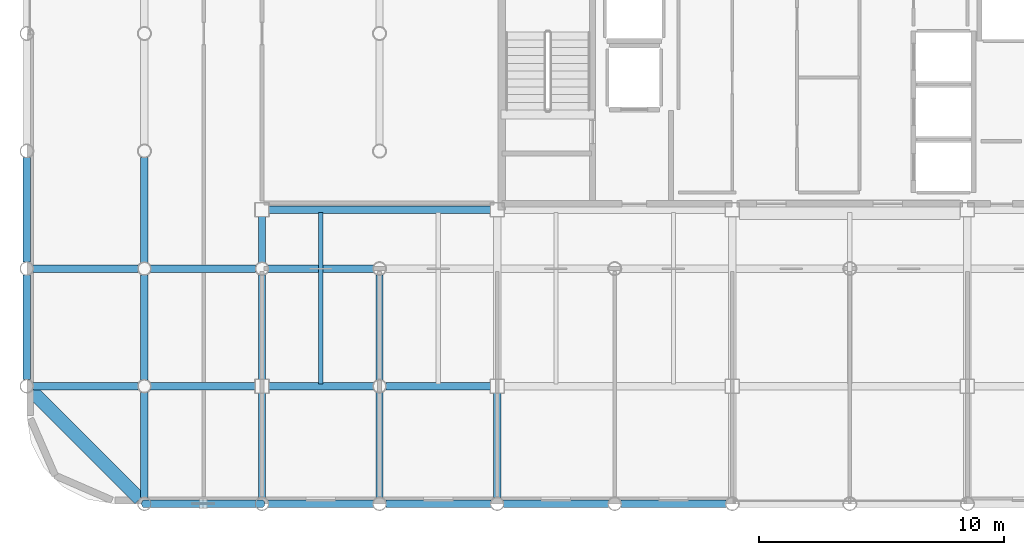
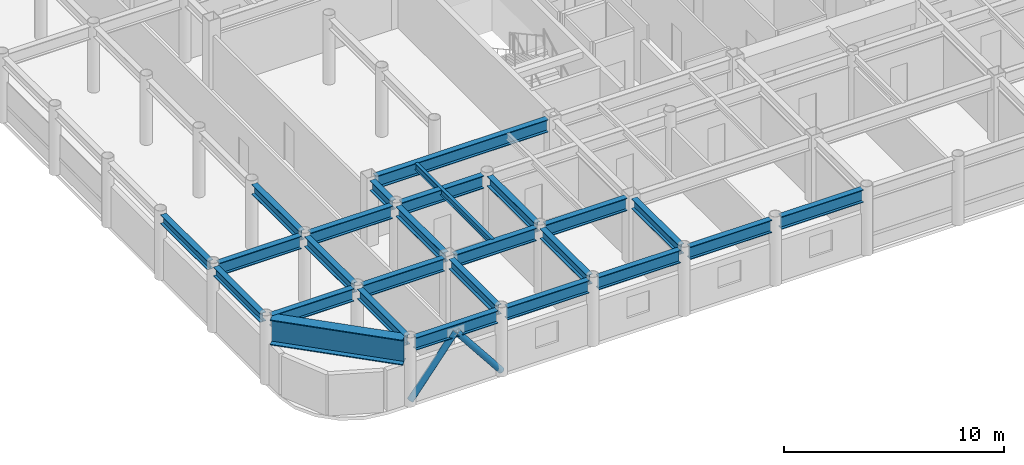
# One storey, part 3 of 22: 26 beams, 2 members.
"""IFC4 building model written with IfcOpenShell, lengths in metres."""

import ifcopenshell
import ifcopenshell.guid

model = None  # the IFC model being written
_history = None  # IfcOwnerHistory: only IFC2X3 demands one
_inside = {}  # id of a spatial element -> (the spatial element, [elements in it])
_under = {}  # id of a project, library or spatial element -> (it, [spatial elements below it])
_declared = {}  # id of a project -> (the project, [libraries it declares])
_typed = {}  # id of a type object -> (the type object, [elements of that type])
_made_of = {}  # id of a material, layer set ... -> (it, [elements and type objects made of it])


def new_model(schema):
    """Start an empty IFC model of exactly this schema.

    Asked for "IFC4X3", IfcOpenShell would pick the latest addendum, in which some entities
    have other attributes; the version numbers below select the first issue.
    IFC2X3 requires an IfcOwnerHistory on every rooted entity: one is made here for all.
    """
    global model, _history
    if schema == "IFC4X3":
        model = ifcopenshell.file(schema_version=(4, 3, 0, 0))
    else:
        model = ifcopenshell.file(schema=schema)
    _inside.clear()
    _under.clear()
    _declared.clear()
    _typed.clear()
    _made_of.clear()
    _history = None
    if model.schema == "IFC2X3":
        org = make("IfcOrganization", Name="unknown")
        user = make(
            "IfcPersonAndOrganization",
            ThePerson=make("IfcPerson", FamilyName="unknown"),
            TheOrganization=org,
        )
        app = make(
            "IfcApplication",
            ApplicationDeveloper=org,
            Version="unknown",
            ApplicationFullName="unknown",
            ApplicationIdentifier="unknown",
        )
        _history = make(
            "IfcOwnerHistory",
            OwningUser=user,
            OwningApplication=app,
            ChangeAction="ADDED",
            CreationDate=0,
        )
    return model


def make(cls, **values):
    """One entity of the class cls with the attributes given. An attribute that is None is left unset."""
    return model.create_entity(
        cls, **{name: value for name, value in values.items() if value is not None}
    )


def rooted(cls, **values):
    """An entity with a GlobalId (a new one), such as an element, a storey or a relation."""
    return make(cls, GlobalId=ifcopenshell.guid.new(), OwnerHistory=_history, **values)


def si_unit(unit_type, name, prefix=None):
    """IfcSIUnit, for example si_unit("LENGTHUNIT", "METRE", prefix="MILLI")."""
    return make("IfcSIUnit", UnitType=unit_type, Prefix=prefix, Name=name)


def assignment(units):
    """IfcUnitAssignment: the units of a project."""
    return None if units is None else make("IfcUnitAssignment", Units=units)


def point(xyz):
    """IfcCartesianPoint."""
    return None if xyz is None else make("IfcCartesianPoint", Coordinates=xyz)


def direction(xyz):
    """IfcDirection."""
    return None if xyz is None else make("IfcDirection", DirectionRatios=xyz)


def frame(location, z_axis=None, x_axis=None):
    """IfcAxis2Placement3D, a coordinate frame: its origin and axes. An axis left out is left unset."""
    return make(
        "IfcAxis2Placement3D",
        Location=point(location),
        Axis=direction(z_axis),
        RefDirection=direction(x_axis),
    )


def frame_2d(location, x_axis=None):
    """IfcAxis2Placement2D, a coordinate frame in the plane: its origin and x axis."""
    return make(
        "IfcAxis2Placement2D", Location=point(location), RefDirection=direction(x_axis)
    )


def origin():
    """The frame at (0, 0, 0) with its axes left unset."""
    return frame((0.0, 0.0, 0.0))


def origin_2d():
    """The frame at (0, 0) in the plane with its x axis left unset."""
    return frame_2d((0.0, 0.0))


def place(relative_to, where):
    """IfcLocalPlacement: puts the frame where relative to a parent placement (None: the world)."""
    return make(
        "IfcLocalPlacement", PlacementRelTo=relative_to, RelativePlacement=where
    )


def context(
    kind, dimensions, precision=None, world=None, true_north=None, identifier=None
):
    """IfcGeometricRepresentationContext, for example the 3D "Model" context."""
    return make(
        "IfcGeometricRepresentationContext",
        ContextIdentifier=identifier,
        ContextType=kind,
        CoordinateSpaceDimension=dimensions,
        Precision=precision,
        WorldCoordinateSystem=world,
        TrueNorth=true_north,
    )


def subcontext(parent, identifier, kind, view, scale=None):
    """IfcGeometricRepresentationSubContext, for example "Body" below "Model"."""
    return make(
        "IfcGeometricRepresentationSubContext",
        ContextIdentifier=identifier,
        ContextType=kind,
        ParentContext=parent,
        TargetScale=scale,
        TargetView=view,
    )


def project(units=None, contexts=None):
    """IfcProject with its units and contexts."""
    return rooted(
        "IfcProject",
        Name="project",
        RepresentationContexts=contexts,
        UnitsInContext=assignment(units),
    )


def spatial(cls, under=None, at=None, **own):
    """A site, building, storey or space (cls), placed at a placement, below another one or the project."""
    s = rooted(cls, ObjectPlacement=at, **own)
    if under is not None:
        _under.setdefault(under.id(), (under, []))[1].append(s)
    return s


def profile(cls, at=None, kind="AREA", **sizes):
    """A parametric profile (cls). Its sizes go by their IFC names, for example OverallWidth=200.0."""
    return make(cls, ProfileType=kind, Position=at, **sizes)


def hollow_circle(**sizes):
    """IfcCircleHollowProfileDef."""
    return profile("IfcCircleHollowProfileDef", **sizes)


def i_section(**sizes):
    """IfcIShapeProfileDef."""
    return profile("IfcIShapeProfileDef", **sizes)


def extrude(swept, where, along, depth):
    """IfcExtrudedAreaSolid: the profile swept, set in the frame where, extruded along a direction by depth."""
    return make(
        "IfcExtrudedAreaSolid",
        SweptArea=swept,
        Position=where,
        ExtrudedDirection=direction(along),
        Depth=depth,
    )


def shape(context_of_items, identifier, shape_type, items):
    """IfcShapeRepresentation: the items that make up one representation, for example the "Body"."""
    return make(
        "IfcShapeRepresentation",
        ContextOfItems=context_of_items,
        RepresentationIdentifier=identifier,
        RepresentationType=shape_type,
        Items=items,
    )


def material(Name=None, Category=None):
    """IfcMaterial."""
    return make("IfcMaterial", Name=Name, Category=Category)


def material_profile(
    of_material, cross_section, Name=None, Category=None, Priority=None
):
    """IfcMaterialProfile: a cross section and its material."""
    return make(
        "IfcMaterialProfile",
        Name=Name,
        Material=of_material,
        Profile=cross_section,
        Priority=Priority,
        Category=Category,
    )


def profile_set(profiles, Name=None, composite=None):
    """IfcMaterialProfileSet."""
    return make(
        "IfcMaterialProfileSet",
        Name=Name,
        MaterialProfiles=profiles,
        CompositeProfile=composite,
    )


def made_of(thing, what):
    """Note that an element or type object is made of a material, layer set ...; save() writes the relation."""
    if what is not None:
        _made_of.setdefault(what.id(), (what, []))[1].append(thing)
    return thing


def type_object(cls, material=None, **own):
    """A type object (cls), such as IfcWallType, which elements share."""
    return made_of(rooted(cls, **own), material)


def element(
    cls,
    number,
    at=None,
    inside=None,
    cuts=None,
    type_object=None,
    material=None,
    context=None,
    identifier="Body",
    shape_type=None,
    held_by="IfcProductDefinitionShape",
    body=None,
    shapes=None,
    **own,
):
    """One element of the class cls, such as IfcWall. Its Tag is "e" and its number.

    at: its placement. inside: the storey or other place that contains it. cuts: it is an
    opening in that element (IfcRelVoidsElement). A single representation is given by context,
    identifier, shape_type and body (its items); several are given by shapes. held_by: the class
    of the entity that holds the representations. save() writes the other relations.
    """
    e = rooted(cls, Tag="e%d" % number, ObjectPlacement=at, **own)
    if body is not None:
        shapes = [shape(context, identifier, shape_type, body)]
    if shapes is not None:
        e.Representation = make(held_by, Representations=shapes)
    if inside is not None:
        _inside.setdefault(inside.id(), (inside, []))[1].append(e)
    if cuts is not None:
        rooted(
            "IfcRelVoidsElement", RelatingBuildingElement=cuts, RelatedOpeningElement=e
        )
    if type_object is not None:
        _typed.setdefault(type_object.id(), (type_object, []))[1].append(e)
    return made_of(e, material)


def aggregate(whole, parts):
    """IfcRelAggregates: a whole, such as a stair, and the parts it consists of."""
    return rooted("IfcRelAggregates", RelatingObject=whole, RelatedObjects=parts)


def save(model, path):
    """Write the relations noted so far, then the file.

    IfcRelAggregates (storeys below a building ...), IfcRelContainedInSpatialStructure (elements
    in a storey), IfcRelDefinesByType, IfcRelAssociatesMaterial and IfcRelDeclares: one each for
    every whole, place, type object, material and project.
    """
    for whole, parts in _under.values():
        aggregate(whole, parts)
    for where, things in _inside.values():
        rooted(
            "IfcRelContainedInSpatialStructure",
            RelatedElements=things,
            RelatingStructure=where,
        )
    for kind, things in _typed.values():
        rooted("IfcRelDefinesByType", RelatedObjects=things, RelatingType=kind)
    for what, things in _made_of.values():
        rooted("IfcRelAssociatesMaterial", RelatedObjects=things, RelatingMaterial=what)
    for by, libraries in _declared.values():
        rooted("IfcRelDeclares", RelatingContext=by, RelatedDefinitions=libraries)
    model.write(path)


model = new_model("IFC4")

# Units and contexts
model_context = context("Model", 3, precision=1e-05, world=origin(), true_north=direction((0.0, 1.0)))
body_context = subcontext(model_context, "Body", "Model", "MODEL_VIEW")
ifc_project = project(units=[si_unit("LENGTHUNIT", "METRE"), si_unit("AREAUNIT", "SQUARE_METRE"), si_unit("VOLUMEUNIT", "CUBIC_METRE"), si_unit("PLANEANGLEUNIT", "RADIAN"), si_unit("MASSUNIT", "GRAM", prefix="KILO")], contexts=[model_context])

# Site, building, storey
site_placement = place(None, origin())
site = spatial("IfcSite", under=ifc_project, at=site_placement, CompositionType="ELEMENT")
building_placement = place(site_placement, origin())
building = spatial("IfcBuilding", under=site, at=building_placement, Name="Kallvorn Hotel Tower", CompositionType="ELEMENT")
storey_placement = place(building_placement, frame((0.0, 0.0, 256.949951171875)))
storey = spatial("IfcBuildingStorey", under=building, at=storey_placement, Name="L64", CompositionType="ELEMENT", Elevation=256.949951171875)

# Beams
ifc_material_1 = material(Name="Structural steel S355JR", Category="steel")
ifc_material_profile_1 = material_profile(ifc_material_1, i_section(OverallWidth=0.300048828125, OverallDepth=0.5, WebThickness=0.014404296875, FlangeThickness=0.028076171875, at=origin_2d()), Name="HE 500 B")
ifc_profile_set_1 = profile_set([ifc_material_profile_1], Name="Structural steel S355JR")
beam_type_1 = type_object("IfcBeamType", Name="BM_HE500B", PredefinedType="SPANDREL", material=ifc_profile_set_1)
beam_1_placement = place(storey_placement, frame((-33.60009765625, -14.130615234375, 3.420166015625), z_axis=(0.0, 1.0, 0.0), x_axis=(-1.0, 0.0, 0.0)))
element("IfcBeam", 1, at=beam_1_placement, inside=storey, type_object=beam_type_1, Name="L65 Perimeter Spandrel 174", PredefinedType="SPANDREL", context=body_context, shape_type="SweptSolid", body=[
    extrude(i_section(OverallWidth=0.300048828125, OverallDepth=0.5, WebThickness=0.014404296875, FlangeThickness=0.028076171875, at=origin_2d()), origin(), (0.0, 0.0, 1.0), 4.26123046875),
])
beam_2_placement = place(storey_placement, frame((-33.60009765625, -9.33056640625, 3.420166015625), z_axis=(0.0, 1.0, 0.0), x_axis=(-1.0, 0.0, 0.0)))
element("IfcBeam", 2, at=beam_2_placement, inside=storey, type_object=beam_type_1, Name="L65 Perimeter Spandrel 175", PredefinedType="SPANDREL", context=body_context, shape_type="SweptSolid", body=[
    extrude(i_section(OverallWidth=0.300048828125, OverallDepth=0.5, WebThickness=0.014404296875, FlangeThickness=0.028076171875, at=origin_2d()), origin(), (0.0, 0.0, 1.0), 4.260986328125),
])
ifc_material_2 = material(Name="Structural steel S355JR", Category="steel")
ifc_material_profile_2 = material_profile(ifc_material_2, i_section(OverallWidth=0.300048828125, OverallDepth=0.550048828125, WebThickness=0.014892578125, FlangeThickness=0.029052734375, at=origin_2d()), Name="HE 550 B")
ifc_profile_set_2 = profile_set([ifc_material_profile_2], Name="Structural steel S355JR")
beam_type_2 = type_object("IfcBeamType", Name="BM_HE550B", PredefinedType="SPANDREL", material=ifc_profile_set_2)
for number, where, z_axis, x_axis, name in (
    (3, (-28.800048828125, -18.945556640625, 3.39501953125), (0.0, 1.0, 0.0), (-1.0, 0.0, 0.0), "L65 Primary Y-Girder 73"),
    (4, (-28.800048828125, -14.1455078125, 3.39501953125), (0.0, 1.0, 0.0), (-1.0, 0.0, 0.0), "L65 Primary Y-Girder 74"),
    (5, (-28.800048828125, -9.345458984375, 3.39501953125), (0.0, 1.0, 0.0), (-1.0, 0.0, 0.0), "L65 Primary Y-Girder 75"),
):
    element("IfcBeam", number, at=place(storey_placement, frame(where, z_axis=z_axis, x_axis=x_axis)), inside=storey, type_object=beam_type_2, Name=name, PredefinedType="SPANDREL", context=body_context, shape_type="SweptSolid", body=[
        extrude(i_section(OverallWidth=0.300048828125, OverallDepth=0.550048828125, WebThickness=0.014892578125, FlangeThickness=0.029052734375, at=origin_2d()), origin(), (0.0, 0.0, 1.0), 4.291015625),
    ])
for number, where, z_axis, x_axis, name in (
    (6, (-24.0, -18.945556640625, 3.39501953125), (0.0, 1.0, 0.0), (-1.0, 0.0, 0.0), "L65 Primary Y-Girder 82"),
    (7, (-24.0, -14.125, 3.39501953125), (0.0, 1.0, 0.0), (-1.0, 0.0, 0.0), "L65 Primary Y-Girder 83"),
):
    element("IfcBeam", number, at=place(storey_placement, frame(where, z_axis=z_axis, x_axis=x_axis)), inside=storey, type_object=beam_type_2, Name=name, PredefinedType="SPANDREL", context=body_context, shape_type="SweptSolid", body=[
        extrude(i_section(OverallWidth=0.300048828125, OverallDepth=0.550048828125, WebThickness=0.014892578125, FlangeThickness=0.029052734375, at=origin_2d()), origin(), (0.0, 0.0, 1.0), 4.2705078125),
    ])
beam_3_placement = place(storey_placement, frame((-24.0, -9.345458984375, 3.39501953125), z_axis=(0.0, 1.0, 0.0), x_axis=(-1.0, 0.0, 0.0)))
element("IfcBeam", 8, at=beam_3_placement, inside=storey, type_object=beam_type_2, Name="L65 Primary Y-Girder 84", PredefinedType="SPANDREL", context=body_context, shape_type="SweptSolid", body=[
    extrude(i_section(OverallWidth=0.300048828125, OverallDepth=0.550048828125, WebThickness=0.014892578125, FlangeThickness=0.029052734375, at=origin_2d()), origin(), (0.0, 0.0, 1.0), 1.870361328125),
])
for number, where, z_axis, x_axis, name in (
    (9, (-19.199951171875, -18.945556640625, 3.39501953125), (0.0, 1.0, 0.0), (-1.0, 0.0, 0.0), "L65 Primary Y-Girder 89"),
    (10, (-19.199951171875, -14.1455078125, 3.39501953125), (0.0, 1.0, 0.0), (-1.0, 0.0, 0.0), "L65 Primary Y-Girder 90"),
):
    element("IfcBeam", number, at=place(storey_placement, frame(where, z_axis=z_axis, x_axis=x_axis)), inside=storey, type_object=beam_type_2, Name=name, PredefinedType="SPANDREL", context=body_context, shape_type="SweptSolid", body=[
        extrude(i_section(OverallWidth=0.300048828125, OverallDepth=0.550048828125, WebThickness=0.014892578125, FlangeThickness=0.029052734375, at=origin_2d()), origin(), (0.0, 0.0, 1.0), 4.291015625),
    ])
beam_4_placement = place(storey_placement, frame((-14.39990234375, -18.945556640625, 3.39501953125), z_axis=(0.0, 1.0, 0.0), x_axis=(-1.0, 0.0, 0.0)))
element("IfcBeam", 11, at=beam_4_placement, inside=storey, type_object=beam_type_2, Name="L65 Primary Y-Girder 98", PredefinedType="SPANDREL", context=body_context, shape_type="SweptSolid", body=[
    extrude(i_section(OverallWidth=0.300048828125, OverallDepth=0.550048828125, WebThickness=0.014892578125, FlangeThickness=0.029052734375, at=origin_2d()), origin(), (0.0, 0.0, 1.0), 4.2705078125),
])
ifc_material_3 = material(Name="Structural steel S355JR", Category="steel")
ifc_material_profile_3 = material_profile(ifc_material_3, i_section(OverallWidth=0.300048828125, OverallDepth=0.699951171875, WebThickness=0.01708984375, FlangeThickness=0.031982421875, at=origin_2d()), Name="HE 700 B")
ifc_profile_set_3 = profile_set([ifc_material_profile_3], Name="Structural steel S355JR")
beam_type_3 = type_object("IfcBeamType", Name="BM_HE700B", PredefinedType="BEAM", material=ifc_profile_set_3)
for number, where, z_axis, x_axis, name in (
    (12, (-28.54541015625, -19.199951171875, 3.320068359375), (1.0, 0.0, 0.0), (0.0, 1.0, 0.0), "L65 Primary X-Girder 01"),
    (13, (-23.74560546875, -19.199951171875, 3.320068359375), (1.0, 0.0, 0.0), (0.0, 1.0, 0.0), "L65 Primary X-Girder 02"),
    (14, (-18.945556640625, -19.199951171875, 3.320068359375), (1.0, 0.0, 0.0), (0.0, 1.0, 0.0), "L65 Primary X-Girder 03"),
    (15, (-14.1455078125, -19.199951171875, 3.320068359375), (1.0, 0.0, 0.0), (0.0, 1.0, 0.0), "L65 Primary X-Girder 04"),
    (16, (-9.345458984375, -19.199951171875, 3.320068359375), (1.0, 0.0, 0.0), (0.0, 1.0, 0.0), "L65 Primary X-Girder 05"),
    (17, (-33.345458984375, -14.39990234375, 3.320068359375), (1.0, 0.0, 0.0), (0.0, 1.0, 0.0), "L65 Primary X-Girder 13"),
):
    element("IfcBeam", number, at=place(storey_placement, frame(where, z_axis=z_axis, x_axis=x_axis)), inside=storey, type_object=beam_type_3, Name=name, PredefinedType="BEAM", context=body_context, shape_type="SweptSolid", body=[
        extrude(i_section(OverallWidth=0.300048828125, OverallDepth=0.699951171875, WebThickness=0.01708984375, FlangeThickness=0.031982421875, at=origin_2d()), origin(), (0.0, 0.0, 1.0), 4.291015625),
    ])
for number, where, z_axis, x_axis, name in (
    (18, (-28.54541015625, -14.39990234375, 3.320068359375), (1.0, 0.0, 0.0), (0.0, 1.0, 0.0), "L65 Primary X-Girder 14"),
    (19, (-23.72509765625, -14.39990234375, 3.320068359375), (1.0, 0.0, 0.0), (0.0, 1.0, 0.0), "L65 Primary X-Girder 15"),
    (20, (-18.945556640625, -14.39990234375, 3.320068359375), (1.0, 0.0, 0.0), (0.0, 1.0, 0.0), "L65 Primary X-Girder 16"),
):
    element("IfcBeam", number, at=place(storey_placement, frame(where, z_axis=z_axis, x_axis=x_axis)), inside=storey, type_object=beam_type_3, Name=name, PredefinedType="BEAM", context=body_context, shape_type="SweptSolid", body=[
        extrude(i_section(OverallWidth=0.300048828125, OverallDepth=0.699951171875, WebThickness=0.01708984375, FlangeThickness=0.031982421875, at=origin_2d()), origin(), (0.0, 0.0, 1.0), 4.2705078125),
    ])
for number, where, z_axis, x_axis, name in (
    (21, (-33.345458984375, -9.60009765625, 3.320068359375), (1.0, 0.0, 0.0), (0.0, 1.0, 0.0), "L65 Primary X-Girder 23"),
    (22, (-28.54541015625, -9.60009765625, 3.320068359375), (1.0, 0.0, 0.0), (0.0, 1.0, 0.0), "L65 Primary X-Girder 24"),
    (23, (-23.74560546875, -9.60009765625, 3.320068359375), (1.0, 0.0, 0.0), (0.0, 1.0, 0.0), "L65 Primary X-Girder 25"),
):
    element("IfcBeam", number, at=place(storey_placement, frame(where, z_axis=z_axis, x_axis=x_axis)), inside=storey, type_object=beam_type_3, Name=name, PredefinedType="BEAM", context=body_context, shape_type="SweptSolid", body=[
        extrude(i_section(OverallWidth=0.300048828125, OverallDepth=0.699951171875, WebThickness=0.01708984375, FlangeThickness=0.031982421875, at=origin_2d()), origin(), (0.0, 0.0, 1.0), 4.291015625),
    ])
beam_5_placement = place(storey_placement, frame((-23.72509765625, -7.199951171875, 3.320068359375), z_axis=(1.0, 0.0, 0.0), x_axis=(0.0, 1.0, 0.0)))
element("IfcBeam", 24, at=beam_5_placement, inside=storey, type_object=beam_type_3, Name="L65 Primary X-Girder 32", PredefinedType="BEAM", context=body_context, shape_type="SweptSolid", body=[
    extrude(i_section(OverallWidth=0.300048828125, OverallDepth=0.699951171875, WebThickness=0.01708984375, FlangeThickness=0.031982421875, at=origin_2d()), origin(), (0.0, 0.0, 1.0), 9.050048828125),
])
ifc_material_4 = material(Name="Structural steel S355JR", Category="steel")
ifc_material_profile_4 = material_profile(ifc_material_4, i_section(OverallWidth=0.169921875, OverallDepth=0.360107421875, WebThickness=0.008056640625, FlangeThickness=0.0126953125, at=origin_2d()), Name="IPE 360")
ifc_profile_set_4 = profile_set([ifc_material_profile_4], Name="Structural steel S355JR")
beam_type_4 = type_object("IfcBeamType", Name="BM_IPE360", PredefinedType="JOIST", material=ifc_profile_set_4)
beam_6_placement = place(storey_placement, frame((-21.60009765625, -14.300048828125, 3.489990234375), z_axis=(0.0, 1.0, 0.0), x_axis=(-1.0, 0.0, 0.0)))
element("IfcBeam", 25, at=beam_6_placement, inside=storey, type_object=beam_type_4, Name="L65 Secondary Composite Joist 192", PredefinedType="JOIST", context=body_context, shape_type="SweptSolid", body=[
    extrude(i_section(OverallWidth=0.169921875, OverallDepth=0.360107421875, WebThickness=0.008056640625, FlangeThickness=0.0126953125, at=origin_2d()), origin(), (0.0, 0.0, 1.0), 7.0),
])
ifc_material_5 = material(Name="Structural steel S355JR", Category="steel")
ifc_material_profile_5 = material_profile(ifc_material_5, i_section(OverallWidth=0.550048828125, OverallDepth=1.39990234375, WebThickness=0.02490234375, FlangeThickness=0.044921875, at=origin_2d()), Name="PG 1400x550x25x45")
ifc_profile_set_5 = profile_set([ifc_material_profile_5], Name="Structural steel S355JR")
beam_type_5 = type_object("IfcBeamType", Name="BM_PG_1400", PredefinedType="BEAM", material=ifc_profile_set_5)
beam_7_placement = place(storey_placement, frame((-33.409423828125, -14.590576171875, 2.969970703125), z_axis=(0.707106781187, -0.707106781187, 0.0), x_axis=(0.707106781187, 0.707106781187, 0.0)))
element("IfcBeam", 26, at=beam_7_placement, inside=storey, type_object=beam_type_5, Name="L65 Rounded Corner Tie Beam 189", PredefinedType="BEAM", context=body_context, shape_type="SweptSolid", body=[
    extrude(i_section(OverallWidth=0.550048828125, OverallDepth=1.39990234375, WebThickness=0.02490234375, FlangeThickness=0.044921875, at=origin_2d()), origin(), (0.0, 0.0, 1.0), 6.249267578125),
])

# Members
ifc_material_6 = material(Name="Structural steel S355J2H", Category="steel")
ifc_material_profile_6 = material_profile(ifc_material_6, hollow_circle(Radius=0.161865234375, WallThickness=0.012451171875, at=origin_2d()), Name="CHS 323.9x12.5")
ifc_profile_set_6 = profile_set([ifc_material_profile_6], Name="Structural steel S355J2H")
member_type = type_object("IfcMemberType", Name="MBR_EXO_CHS323", PredefinedType="BRACE", material=ifc_profile_set_6)
for number, where, z_axis, x_axis, name in (
    (27, (-28.78759765625, -19.199951171875, 0.19580078125), (0.620928510901, 0.0, 0.783867198159), (0.0, 1.0, 0.0), "L64 Exoskeleton K-Brace S1A"),
    (28, (-24.012451171875, -19.199951171875, 0.19580078125), (-0.620928510901, 0.0, 0.783867198159), (0.0, -1.0, 0.0), "L64 Exoskeleton K-Brace S1B"),
):
    element("IfcMember", number, at=place(storey_placement, frame(where, z_axis=z_axis, x_axis=x_axis)), inside=storey, type_object=member_type, Name=name, PredefinedType="BRACE", context=body_context, shape_type="SweptSolid", body=[
        extrude(hollow_circle(Radius=0.161865234375, WallThickness=0.012451171875, at=origin_2d()), origin(), (0.0, 0.0, 1.0), 3.8251953125),
    ])

save(model, "model.ifc")
